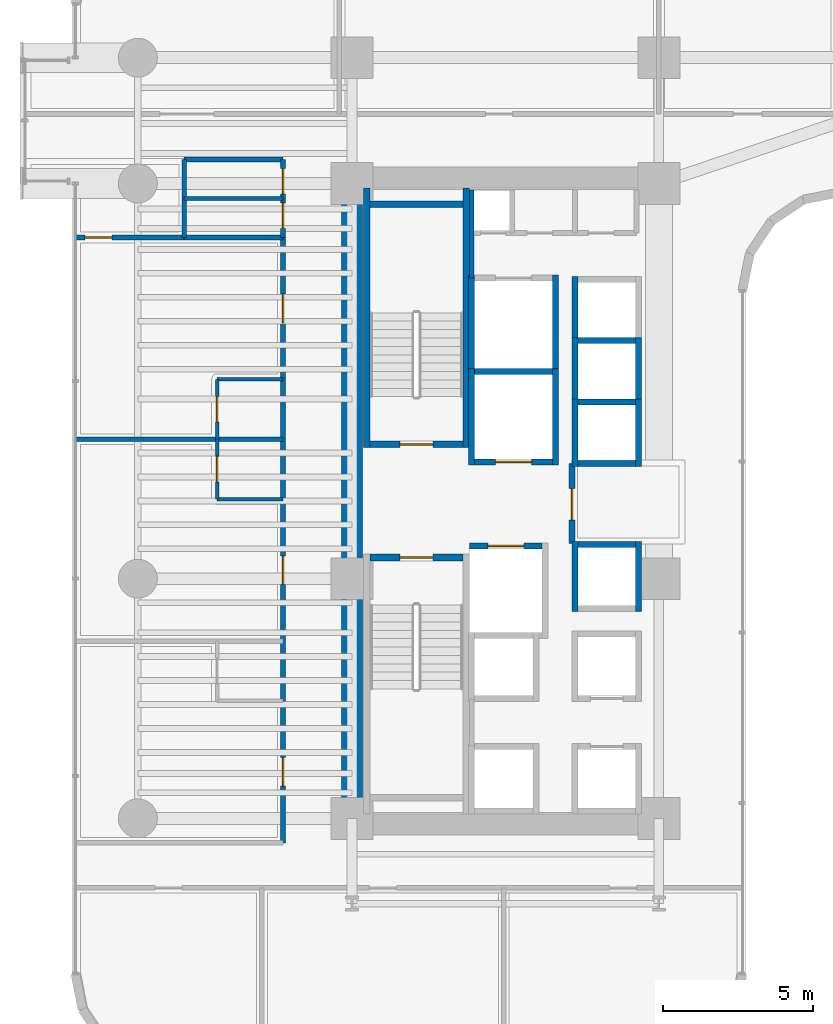
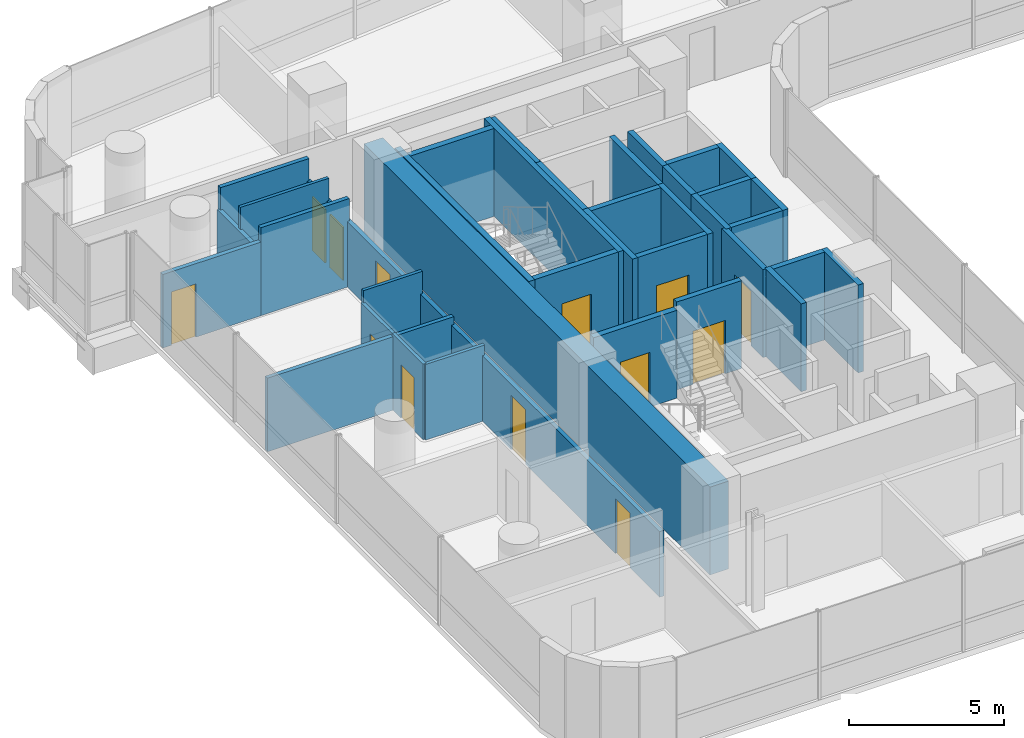
# One storey, part 32 of 41: 38 walls, 13 doors, 13 openings.
"""IFC4 building model written with IfcOpenShell, lengths in metres."""

from ifc_helpers import new_model, si_unit, direction, frame, frame_2d, origin, place, context, subcontext, project, spatial, rectangle, extrude, material, layer, layer_set, type_object, element, fill, save


model = new_model("IFC4")

# Units and contexts
model_context = context("Model", 3, precision=1e-05, world=origin(), true_north=direction((0.0, 1.0)))
body_context = subcontext(model_context, "Body", "Model", "MODEL_VIEW")
ifc_project = project(units=[si_unit("LENGTHUNIT", "METRE"), si_unit("AREAUNIT", "SQUARE_METRE"), si_unit("VOLUMEUNIT", "CUBIC_METRE"), si_unit("PLANEANGLEUNIT", "RADIAN"), si_unit("MASSUNIT", "GRAM", prefix="KILO")], contexts=[model_context])

# Site, building, storey
site_placement = place(None, origin())
site = spatial("IfcSite", under=ifc_project, at=site_placement, CompositionType="ELEMENT")
building_placement = place(site_placement, origin())
building = spatial("IfcBuilding", under=site, at=building_placement, Name="Valdorenza Pilgrim Sanctuary Tower", CompositionType="ELEMENT")
storey_placement = place(building_placement, frame((0.0, 0.0, 85.199951171875)))
storey = spatial("IfcBuildingStorey", under=building, at=storey_placement, Name="L21", CompositionType="ELEMENT", Elevation=85.199951171875)

# Walls
ifc_material_1 = material(Name="Acoustic twin-stud gypsum partition", Category="gypsum")
ifc_layer_1 = layer(ifc_material_1, 0.159912109375, Name="Acoustic twin-stud gypsum partition")
ifc_layer_set_1 = layer_set([ifc_layer_1], Name="Acoustic twin-stud gypsum partition")
wall_type_1 = type_object("IfcWallType", Name="WAL-COR-160", PredefinedType="PARTITIONING", material=ifc_layer_set_1)
wall_1_placement = place(storey_placement, frame((-18.64990234375, 7.449951171875, 0.0), z_axis=(0.0, 0.0, 1.0), x_axis=(0.0, 1.0, 0.0)))
element("IfcWall", 1, at=wall_1_placement, inside=storey, type_object=wall_type_1, Name="L21 Core A North Service West Wall", PredefinedType="PARTITIONING", context=body_context, shape_type="SweptSolid", body=[
    extrude(rectangle(XDim=2.929931640625, YDim=0.159912109375, at=frame_2d((1.46484375, 0.0))), origin(), (0.0, 0.0, 1.0), 3.4599609375),
])
wall_2_placement = place(storey_placement, frame((-28.25, 8.800048828125, 0.0), z_axis=(0.0, 0.0, 1.0), x_axis=(0.0, 1.0, 0.0)))
element("IfcWall", 2, at=wall_2_placement, inside=storey, type_object=wall_type_1, Name="L21 Washroom West Wall", PredefinedType="PARTITIONING", context=body_context, shape_type="SweptSolid", body=[
    extrude(rectangle(XDim=2.599853515625, YDim=0.159912109375, at=frame_2d((1.2998046875, 0.0))), origin(), (0.0, 0.0, 1.0), 2.5830078125),
])

# Wall, openings, doors
wall_3_placement = place(storey_placement, frame((-24.949951171875, 8.800048828125, 0.0), z_axis=(0.0, 0.0, 1.0), x_axis=(0.0, 1.0, 0.0)))
wall_3 = element("IfcWall", 3, at=wall_3_placement, inside=storey, type_object=wall_type_1, Name="L21 Washroom East Wall", PredefinedType="PARTITIONING", context=body_context, shape_type="SweptSolid", body=[
    extrude(rectangle(XDim=2.599853515625, YDim=0.159912109375, at=frame_2d((1.2998046875, 0.0))), origin(), (0.0, 0.0, 1.0), 2.5830078125),
])
opening_1_placement = place(wall_3_placement, frame((0.300048828125, 0.0, 0.0)))
opening_1 = element("IfcOpeningElement", 4, at=opening_1_placement, cuts=wall_3, Name="Opening DR-WC1", PredefinedType="OPENING", context=body_context, shape_type="SweptSolid", body=[
    extrude(rectangle(XDim=0.85009765625, YDim=2.10009765625, at=frame_2d((0.425048828125, 1.050048828125))), frame((0.0, 0.0947265625, 0.0), z_axis=(0.0, -1.0, 0.0), x_axis=(1.0, 0.0, 0.0)), (0.0, 0.0, 1.0), 0.189697265625),
])
opening_2_placement = place(wall_3_placement, frame((1.449951171875, 0.0, 0.0)))
opening_2 = element("IfcOpeningElement", 5, at=opening_2_placement, cuts=wall_3, Name="Opening DR-WC1", PredefinedType="OPENING", context=body_context, shape_type="SweptSolid", body=[
    extrude(rectangle(XDim=0.85009765625, YDim=2.10009765625, at=frame_2d((0.425048828125, 1.050048828125))), frame((0.0, 0.0947265625, 0.0), z_axis=(0.0, -1.0, 0.0), x_axis=(1.0, 0.0, 0.0)), (0.0, 0.0, 1.0), 0.189697265625),
])
ifc_material_2 = material(Name="Moisture-resistant lacquered timber", Category="wood")
door_type_1 = type_object("IfcDoorType", Name="DR-BATH-850", OperationType="NOTDEFINED", PredefinedType="DOOR", material=ifc_material_2)
door_1_placement = place(opening_1_placement, origin())
door_1 = element("IfcDoor", 6, at=door_1_placement, inside=storey, type_object=door_type_1, Name="L21 Accessible Washroom Door", OperationType="SINGLE_SWING_RIGHT", OverallHeight=2.10009765625, OverallWidth=0.85009765625, PredefinedType="DOOR", context=body_context, shape_type="SweptSolid", body=[
    extrude(rectangle(XDim=0.85009765625, YDim=2.10009765625, at=frame_2d((0.425048828125, 1.050048828125))), frame((0.0, 0.02490234375, 0.0), z_axis=(0.0, -1.0, 0.0), x_axis=(1.0, 0.0, 0.0)), (0.0, 0.0, 1.0), 0.050048828125),
])
fill(opening_1, door_1)
door_2_placement = place(opening_2_placement, origin())
door_2 = element("IfcDoor", 7, at=door_2_placement, inside=storey, type_object=door_type_1, Name="L21 Public Washroom Door", OperationType="SINGLE_SWING_LEFT", OverallHeight=2.10009765625, OverallWidth=0.85009765625, PredefinedType="DOOR", context=body_context, shape_type="SweptSolid", body=[
    extrude(rectangle(XDim=0.85009765625, YDim=2.10009765625, at=frame_2d((0.425048828125, 1.050048828125))), frame((0.0, 0.02490234375, 0.0), z_axis=(0.0, -1.0, 0.0), x_axis=(1.0, 0.0, 0.0)), (0.0, 0.0, 1.0), 0.050048828125),
])
fill(opening_2, door_2)

# Walls
for number, where, z_axis, x_axis, name in (
    (8, (-28.25, 8.800048828125, 0.0), (0.0, 0.0, 1.0), (1.0, 0.0, 0.0), "L21 Washroom South Wall"),
    (9, (-28.25, 11.39990234375, 0.0), (0.0, 0.0, 1.0), (1.0, 0.0, 0.0), "L21 Washroom North Wall"),
):
    element("IfcWall", number, at=place(storey_placement, frame(where, z_axis=z_axis, x_axis=x_axis)), inside=storey, type_object=wall_type_1, Name=name, PredefinedType="PARTITIONING", context=body_context, shape_type="SweptSolid", body=[
        extrude(rectangle(XDim=3.300048828125, YDim=0.159912109375, at=frame_2d((1.64990234375, 0.0))), origin(), (0.0, 0.0, 1.0), 3.4599609375),
    ])

# Wall, openings, doors
wall_4_placement = place(storey_placement, frame((-24.949951171875, -11.419921875, 0.0), z_axis=(0.0, 0.0, 1.0), x_axis=(0.0, 1.0, 0.0)))
wall_4 = element("IfcWall", 10, at=wall_4_placement, inside=storey, type_object=wall_type_1, Name="L21 West Wing Corridor Wall", PredefinedType="PARTITIONING", context=body_context, shape_type="SweptSolid", body=[
    extrude(rectangle(XDim=20.219970703125, YDim=0.159912109375, at=frame_2d((10.10986328125, 0.0))), origin(), (0.0, 0.0, 1.0), 2.5830078125),
])
opening_3_placement = place(wall_4_placement, frame((1.89501953125, 0.0, 0.0)))
opening_3 = element("IfcOpeningElement", 11, at=opening_3_placement, cuts=wall_4, Name="Opening DR-UN1", PredefinedType="OPENING", context=body_context, shape_type="SweptSolid", body=[
    extrude(rectangle(XDim=0.949951171875, YDim=2.14990234375, at=frame_2d((0.47509765625, 1.074951171875))), frame((0.0, 0.0947265625, 0.0), z_axis=(0.0, -1.0, 0.0), x_axis=(1.0, 0.0, 0.0)), (0.0, 0.0, 1.0), 0.189697265625),
])
opening_4_placement = place(wall_4_placement, frame((8.635009765625, 0.0, 0.0)))
opening_4 = element("IfcOpeningElement", 12, at=opening_4_placement, cuts=wall_4, Name="Opening DR-UN1", PredefinedType="OPENING", context=body_context, shape_type="SweptSolid", body=[
    extrude(rectangle(XDim=0.949951171875, YDim=2.14990234375, at=frame_2d((0.47509765625, 1.074951171875))), frame((0.0, 0.0947265625, 0.0), z_axis=(0.0, -1.0, 0.0), x_axis=(1.0, 0.0, 0.0)), (0.0, 0.0, 1.0), 0.189697265625),
])
opening_5_placement = place(wall_4_placement, frame((17.375, 0.0, 0.0)))
opening_5 = element("IfcOpeningElement", 13, at=opening_5_placement, cuts=wall_4, Name="Opening DR-UN1", PredefinedType="OPENING", context=body_context, shape_type="SweptSolid", body=[
    extrude(rectangle(XDim=0.949951171875, YDim=2.14990234375, at=frame_2d((0.47509765625, 1.074951171875))), frame((0.0, 0.0947265625, 0.0), z_axis=(0.0, -1.0, 0.0), x_axis=(1.0, 0.0, 0.0)), (0.0, 0.0, 1.0), 0.189697265625),
])
ifc_material_3 = material(Name="Solid-core European oak timber", Category="wood")
door_type_2 = type_object("IfcDoorType", Name="DR-UNIT-950", OperationType="NOTDEFINED", PredefinedType="DOOR", material=ifc_material_3)
door_3_placement = place(opening_3_placement, frame((0.949951171875, 0.0, 0.0), z_axis=(0.0, 0.0, 1.0), x_axis=(-1.0, 0.0, 0.0)))
door_3 = element("IfcDoor", 14, at=door_3_placement, inside=storey, type_object=door_type_2, Name="L21 Sanctuary Guest Room L21-W1 Entrance Door", OperationType="SINGLE_SWING_LEFT", OverallHeight=2.14990234375, OverallWidth=0.949951171875, PredefinedType="DOOR", context=body_context, shape_type="SweptSolid", body=[
    extrude(rectangle(XDim=0.949951171875, YDim=2.14990234375, at=frame_2d((0.47509765625, 1.074951171875))), frame((0.0, 0.02490234375, 0.0), z_axis=(0.0, -1.0, 0.0), x_axis=(1.0, 0.0, 0.0)), (0.0, 0.0, 1.0), 0.050048828125),
])
fill(opening_3, door_3)
door_4_placement = place(opening_4_placement, frame((0.949951171875, 0.0, 0.0), z_axis=(0.0, 0.0, 1.0), x_axis=(-1.0, 0.0, 0.0)))
door_4 = element("IfcDoor", 15, at=door_4_placement, inside=storey, type_object=door_type_2, Name="L21 Sanctuary Guest Room L21-W2 Entrance Door", OperationType="SINGLE_SWING_LEFT", OverallHeight=2.14990234375, OverallWidth=0.949951171875, PredefinedType="DOOR", context=body_context, shape_type="SweptSolid", body=[
    extrude(rectangle(XDim=0.949951171875, YDim=2.14990234375, at=frame_2d((0.47509765625, 1.074951171875))), frame((0.0, 0.02490234375, 0.0), z_axis=(0.0, -1.0, 0.0), x_axis=(1.0, 0.0, 0.0)), (0.0, 0.0, 1.0), 0.050048828125),
])
fill(opening_4, door_4)
door_5_placement = place(opening_5_placement, frame((0.949951171875, 0.0, 0.0), z_axis=(0.0, 0.0, 1.0), x_axis=(-1.0, 0.0, 0.0)))
door_5 = element("IfcDoor", 16, at=door_5_placement, inside=storey, type_object=door_type_2, Name="L21 Sanctuary Guest Room L21-W3 Entrance Door", OperationType="SINGLE_SWING_LEFT", OverallHeight=2.14990234375, OverallWidth=0.949951171875, PredefinedType="DOOR", context=body_context, shape_type="SweptSolid", body=[
    extrude(rectangle(XDim=0.949951171875, YDim=2.14990234375, at=frame_2d((0.47509765625, 1.074951171875))), frame((0.0, 0.02490234375, 0.0), z_axis=(0.0, -1.0, 0.0), x_axis=(1.0, 0.0, 0.0)), (0.0, 0.0, 1.0), 0.050048828125),
])
fill(opening_5, door_5)

# Wall, opening, door
wall_5_placement = place(storey_placement, frame((-31.889892578125, 8.800048828125, 0.0), z_axis=(0.0, 0.0, 1.0), x_axis=(1.0, 0.0, 0.0)))
wall_5 = element("IfcWall", 17, at=wall_5_placement, inside=storey, type_object=wall_type_1, Name="L21 West North Alcove Wall", PredefinedType="PARTITIONING", context=body_context, shape_type="SweptSolid", body=[
    extrude(rectangle(XDim=3.639892578125, YDim=0.159912109375, at=frame_2d((1.81982421875, 0.0))), origin(), (0.0, 0.0, 1.0), 2.89599609375),
])
opening_6_placement = place(wall_5_placement, frame((0.320068359375, 0.0, 0.0)))
opening_6 = element("IfcOpeningElement", 18, at=opening_6_placement, cuts=wall_5, Name="Opening DR-RM1", PredefinedType="OPENING", context=body_context, shape_type="SweptSolid", body=[
    extrude(rectangle(XDim=0.89990234375, YDim=2.10009765625, at=frame_2d((0.449951171875, 1.050048828125))), frame((0.0, 0.0947265625, 0.0), z_axis=(0.0, -1.0, 0.0), x_axis=(1.0, 0.0, 0.0)), (0.0, 0.0, 1.0), 0.189697265625),
])
door_type_3 = type_object("IfcDoorType", Name="DR-ROOM-900", OperationType="NOTDEFINED", PredefinedType="DOOR", material=ifc_material_3)
door_6_placement = place(opening_6_placement, origin())
door_6 = element("IfcDoor", 19, at=door_6_placement, inside=storey, type_object=door_type_3, Name="L21 Pilgrim Scholar Office L21-WN Door", OperationType="SINGLE_SWING_RIGHT", OverallHeight=2.10009765625, OverallWidth=0.89990234375, PredefinedType="DOOR", context=body_context, shape_type="SweptSolid", body=[
    extrude(rectangle(XDim=0.89990234375, YDim=2.10009765625, at=frame_2d((0.449951171875, 1.050048828125))), frame((0.0, 0.02490234375, 0.0), z_axis=(0.0, -1.0, 0.0), x_axis=(1.0, 0.0, 0.0)), (0.0, 0.0, 1.0), 0.050048828125),
])
fill(opening_6, door_6)

# Wall
ifc_material_4 = material(Name="Concrete C60/75", Category="concrete")
ifc_layer_2 = layer(ifc_material_4, 0.699951171875, Name="Concrete C60/75")
ifc_layer_set_2 = layer_set([ifc_layer_2], Name="Concrete C60/75")
wall_type_2 = type_object("IfcWallType", Name="WAL-COR-700", PredefinedType="SHEAR", material=ifc_layer_set_2)
wall_6_placement = place(storey_placement, frame((-22.64990234375, -11.14990234375, 0.0), z_axis=(0.0, 0.0, 1.0), x_axis=(0.0, 1.0, 0.0)))
element("IfcWall", 20, at=wall_6_placement, inside=storey, type_object=wall_type_2, Name="L21 Split Core A Shear Wall W", PredefinedType="SHEAR", context=body_context, shape_type="SweptSolid", body=[
    extrude(rectangle(XDim=22.2998046875, YDim=0.699951171875, at=frame_2d((11.14990234375, 0.0))), origin(), (0.0, 0.0, 1.0), 3.4599609375),
])

# Wall, opening, door
ifc_material_5 = material(Name="Gypsum shaftwall partition", Category="gypsum")
ifc_layer_3 = layer(ifc_material_5, 0.199951171875, Name="Gypsum shaftwall partition")
ifc_layer_set_3 = layer_set([ifc_layer_3], Name="Gypsum shaftwall partition")
wall_type_3 = type_object("IfcWallType", Name="WAL-FFL-200", PredefinedType="PARTITIONING", material=ifc_layer_set_3)
wall_7_placement = place(storey_placement, frame((-15.300048828125, -1.419921875, 0.0), z_axis=(0.0, 0.0, 1.0), x_axis=(0.0, 1.0, 0.0)))
wall_7 = element("IfcWall", 21, at=wall_7_placement, inside=storey, type_object=wall_type_3, Name="L21 Core A Firefighting Lobby East Wall", PredefinedType="PARTITIONING", context=body_context, shape_type="SweptSolid", body=[
    extrude(rectangle(XDim=2.669921875, YDim=0.199951171875, at=frame_2d((1.3349609375, 0.0))), origin(), (0.0, 0.0, 1.0), 3.4599609375),
])
opening_7_placement = place(wall_7_placement, frame((0.780029296875, 0.0, 0.0)))
opening_7 = element("IfcOpeningElement", 22, at=opening_7_placement, cuts=wall_7, Name="Opening DR-FL1", PredefinedType="OPENING", context=body_context, shape_type="SweptSolid", body=[
    extrude(rectangle(XDim=1.050048828125, YDim=2.14990234375, at=frame_2d((0.52490234375, 1.074951171875))), frame((0.0, 0.11474609375, 0.0), z_axis=(0.0, -1.0, 0.0), x_axis=(1.0, 0.0, 0.0)), (0.0, 0.0, 1.0), 0.229736328125),
])
ifc_material_6 = material(Name="Painted galvanized steel", Category="steel")
door_type_4 = type_object("IfcDoorType", Name="DR-FFL-1050", OperationType="NOTDEFINED", PredefinedType="DOOR", material=ifc_material_6)
door_7_placement = place(opening_7_placement, origin())
door_7 = element("IfcDoor", 23, at=door_7_placement, inside=storey, type_object=door_type_4, Name="L21 Core A Firefighting Lobby Door", OperationType="SINGLE_SWING_RIGHT", OverallHeight=2.14990234375, OverallWidth=1.050048828125, PredefinedType="DOOR", context=body_context, shape_type="SweptSolid", body=[
    extrude(rectangle(XDim=1.050048828125, YDim=2.14990234375, at=frame_2d((0.52490234375, 1.074951171875))), frame((0.0, 0.02490234375, 0.0), z_axis=(0.0, -1.0, 0.0), x_axis=(1.0, 0.0, 0.0)), (0.0, 0.0, 1.0), 0.050048828125),
])
fill(opening_7, door_7)

# Walls
ifc_material_7 = material(Name="Moisture-resistant gypsum partition", Category="gypsum")
ifc_layer_4 = layer(ifc_material_7, 0.1201171875, Name="Moisture-resistant gypsum partition")
ifc_layer_set_4 = layer_set([ifc_layer_4], Name="Moisture-resistant gypsum partition")
wall_type_4 = type_object("IfcWallType", Name="WAL-INT-120", PredefinedType="PARTITIONING", material=ifc_layer_set_4)
wall_8_placement = place(storey_placement, frame((-28.25, 10.10009765625, 0.0), z_axis=(0.0, 0.0, 1.0), x_axis=(1.0, 0.0, 0.0)))
element("IfcWall", 24, at=wall_8_placement, inside=storey, type_object=wall_type_4, Name="L21 Washroom Divider Wall", PredefinedType="PARTITIONING", context=body_context, shape_type="SweptSolid", body=[
    extrude(rectangle(XDim=3.300048828125, YDim=0.1201171875, at=frame_2d((1.64990234375, 0.0))), origin(), (0.0, 0.0, 1.0), 3.4599609375),
])
wall_9_placement = place(storey_placement, frame((-27.14990234375, 0.06005859375, 0.0), z_axis=(0.0, 0.0, 1.0), x_axis=(1.0, 0.0, 0.0)))
element("IfcWall", 25, at=wall_9_placement, inside=storey, type_object=wall_type_4, Name="L21 Sanctuary Guest Room L21-W2 En-suite South Wall", PredefinedType="PARTITIONING", context=body_context, shape_type="SweptSolid", body=[
    extrude(rectangle(XDim=2.199951171875, YDim=0.1201171875, at=frame_2d((1.10009765625, 0.0))), origin(), (0.0, 0.0, 1.0), 2.97900390625),
])

# Wall, opening, door
wall_10_placement = place(storey_placement, frame((-27.14990234375, 0.06005859375, 0.0), z_axis=(0.0, 0.0, 1.0), x_axis=(0.0, 1.0, 0.0)))
wall_10 = element("IfcWall", 26, at=wall_10_placement, inside=storey, type_object=wall_type_4, Name="L21 Sanctuary Guest Room L21-W2 En-suite Door Wall", PredefinedType="PARTITIONING", context=body_context, shape_type="SweptSolid", body=[
    extrude(rectangle(XDim=2.0, YDim=0.1201171875, at=frame_2d((1.0, 0.0))), origin(), (0.0, 0.0, 1.0), 2.97900390625),
])
opening_8_placement = place(wall_10_placement, frame((0.574951171875, 0.0, 0.0)))
opening_8 = element("IfcOpeningElement", 27, at=opening_8_placement, cuts=wall_10, Name="Opening DR-WC1", PredefinedType="OPENING", context=body_context, shape_type="SweptSolid", body=[
    extrude(rectangle(XDim=0.85009765625, YDim=2.10009765625, at=frame_2d((0.425048828125, 1.050048828125))), frame((0.0, 0.074951171875, 0.0), z_axis=(0.0, -1.0, 0.0), x_axis=(1.0, 0.0, 0.0)), (0.0, 0.0, 1.0), 0.14990234375),
])
door_8_placement = place(opening_8_placement, origin())
door_8 = element("IfcDoor", 28, at=door_8_placement, inside=storey, type_object=door_type_1, Name="L21 Sanctuary Guest Room L21-W2 En-suite Bathroom Door", OperationType="SINGLE_SWING_RIGHT", OverallHeight=2.10009765625, OverallWidth=0.85009765625, PredefinedType="DOOR", context=body_context, shape_type="SweptSolid", body=[
    extrude(rectangle(XDim=0.85009765625, YDim=2.10009765625, at=frame_2d((0.425048828125, 1.050048828125))), frame((0.0, 0.02490234375, 0.0), z_axis=(0.0, -1.0, 0.0), x_axis=(1.0, 0.0, 0.0)), (0.0, 0.0, 1.0), 0.050048828125),
])
fill(opening_8, door_8)

# Wall
wall_11_placement = place(storey_placement, frame((-27.14990234375, 4.06005859375, 0.0), z_axis=(0.0, 0.0, 1.0), x_axis=(1.0, 0.0, 0.0)))
element("IfcWall", 29, at=wall_11_placement, inside=storey, type_object=wall_type_4, Name="L21 Sanctuary Guest Room L21-W3 En-suite North Wall", PredefinedType="PARTITIONING", context=body_context, shape_type="SweptSolid", body=[
    extrude(rectangle(XDim=2.199951171875, YDim=0.1201171875, at=frame_2d((1.10009765625, 0.0))), origin(), (0.0, 0.0, 1.0), 3.4599609375),
])

# Wall, opening, door
wall_12_placement = place(storey_placement, frame((-27.14990234375, 2.06005859375, 0.0), z_axis=(0.0, 0.0, 1.0), x_axis=(0.0, 1.0, 0.0)))
wall_12 = element("IfcWall", 30, at=wall_12_placement, inside=storey, type_object=wall_type_4, Name="L21 Sanctuary Guest Room L21-W3 En-suite Door Wall", PredefinedType="PARTITIONING", context=body_context, shape_type="SweptSolid", body=[
    extrude(rectangle(XDim=2.0, YDim=0.1201171875, at=frame_2d((1.0, 0.0))), origin(), (0.0, 0.0, 1.0), 2.97900390625),
])
opening_9_placement = place(wall_12_placement, frame((0.574951171875, 0.0, 0.0)))
opening_9 = element("IfcOpeningElement", 31, at=opening_9_placement, cuts=wall_12, Name="Opening DR-WC1", PredefinedType="OPENING", context=body_context, shape_type="SweptSolid", body=[
    extrude(rectangle(XDim=0.85009765625, YDim=2.10009765625, at=frame_2d((0.425048828125, 1.050048828125))), frame((0.0, 0.074951171875, 0.0), z_axis=(0.0, -1.0, 0.0), x_axis=(1.0, 0.0, 0.0)), (0.0, 0.0, 1.0), 0.14990234375),
])
door_9_placement = place(opening_9_placement, origin())
door_9 = element("IfcDoor", 32, at=door_9_placement, inside=storey, type_object=door_type_1, Name="L21 Sanctuary Guest Room L21-W3 En-suite Bathroom Door", OperationType="SINGLE_SWING_RIGHT", OverallHeight=2.10009765625, OverallWidth=0.85009765625, PredefinedType="DOOR", context=body_context, shape_type="SweptSolid", body=[
    extrude(rectangle(XDim=0.85009765625, YDim=2.10009765625, at=frame_2d((0.425048828125, 1.050048828125))), frame((0.0, 0.02490234375, 0.0), z_axis=(0.0, -1.0, 0.0), x_axis=(1.0, 0.0, 0.0)), (0.0, 0.0, 1.0), 0.050048828125),
])
fill(opening_9, door_9)

# Walls
ifc_material_8 = material(Name="Autoclaved aerated concrete blockwork", Category="masonry")
ifc_layer_5 = layer(ifc_material_8, 0.199951171875, Name="Autoclaved aerated concrete blockwork")
ifc_layer_set_5 = layer_set([ifc_layer_5], Name="Autoclaved aerated concrete blockwork")
wall_type_5 = type_object("IfcWallType", Name="WAL-SHF-200", PredefinedType="MOVABLE", material=ifc_layer_set_5)
for number, where, z_axis, x_axis, name in (
    (33, (-18.64990234375, 1.199951171875, 0.0), (0.0, 0.0, 1.0), (0.0, 1.0, 0.0), "L21 Lift FFL-01 Hoistway Wall West"),
    (34, (-15.85009765625, 1.199951171875, 0.0), (0.0, 0.0, 1.0), (0.0, 1.0, 0.0), "L21 Lift FFL-01 Hoistway Wall East"),
):
    element("IfcWall", number, at=place(storey_placement, frame(where, z_axis=z_axis, x_axis=x_axis)), inside=storey, type_object=wall_type_5, Name=name, PredefinedType="MOVABLE", context=body_context, shape_type="SweptSolid", body=[
        extrude(rectangle(XDim=3.22509765625, YDim=0.199951171875, at=frame_2d((1.612548828125, 0.0))), origin(), (0.0, 0.0, 1.0), 3.4599609375),
    ])

# Wall, opening, door
wall_13_placement = place(storey_placement, frame((-18.550048828125, 1.300048828125, 0.0), z_axis=(0.0, 0.0, 1.0), x_axis=(1.0, 0.0, 0.0)))
wall_13 = element("IfcWall", 35, at=wall_13_placement, inside=storey, type_object=wall_type_5, Name="L21 Lift FFL-01 Hoistway Wall South", PredefinedType="MOVABLE", context=body_context, shape_type="SweptSolid", body=[
    extrude(rectangle(XDim=2.60009765625, YDim=0.199951171875, at=frame_2d((1.300048828125, 0.0))), origin(), (0.0, 0.0, 1.0), 3.4599609375),
])
opening_10_placement = place(wall_13_placement, frame((0.699951171875, 0.0, 0.0)))
opening_10 = element("IfcOpeningElement", 36, at=opening_10_placement, cuts=wall_13, Name="Opening LD-02", PredefinedType="OPENING", context=body_context, shape_type="SweptSolid", body=[
    extrude(rectangle(XDim=1.199951171875, YDim=2.10009765625, at=frame_2d((0.60009765625, 1.050048828125))), frame((0.0, 0.11474609375, 0.0), z_axis=(0.0, -1.0, 0.0), x_axis=(1.0, 0.0, 0.0)), (0.0, 0.0, 1.0), 0.229736328125),
])
ifc_material_9 = material(Name="Brushed stainless steel Grade 316", Category="steel")
door_type_5 = type_object("IfcDoorType", Name="DR-LFT-1200", OperationType="DOUBLE_DOOR_SLIDING", PredefinedType="DOOR", material=ifc_material_9)
door_10_placement = place(opening_10_placement, origin())
door_10 = element("IfcDoor", 37, at=door_10_placement, inside=storey, type_object=door_type_5, Name="L21 Lift FFL-01 Sliding Landing Door", OperationType="DOUBLE_DOOR_SLIDING", OverallHeight=2.10009765625, OverallWidth=1.199951171875, PredefinedType="DOOR", context=body_context, shape_type="SweptSolid", body=[
    extrude(rectangle(XDim=1.199951171875, YDim=2.10009765625, at=frame_2d((0.60009765625, 1.050048828125))), frame((0.0, 0.02490234375, 0.0), z_axis=(0.0, -1.0, 0.0), x_axis=(1.0, 0.0, 0.0)), (0.0, 0.0, 1.0), 0.050048828125),
])
fill(opening_10, door_10)

# Wall
wall_14_placement = place(storey_placement, frame((-18.550048828125, 4.324951171875, 0.0), z_axis=(0.0, 0.0, 1.0), x_axis=(1.0, 0.0, 0.0)))
element("IfcWall", 38, at=wall_14_placement, inside=storey, type_object=wall_type_5, Name="L21 Lift FFL-01 Hoistway Wall North", PredefinedType="MOVABLE", context=body_context, shape_type="SweptSolid", body=[
    extrude(rectangle(XDim=2.60009765625, YDim=0.199951171875, at=frame_2d((1.300048828125, 0.0))), origin(), (0.0, 0.0, 1.0), 3.4599609375),
])

# Wall, opening, door
wall_15_placement = place(storey_placement, frame((-18.719970703125, -1.5, 0.0), z_axis=(0.0, 0.0, 1.0), x_axis=(1.0, 0.0, 0.0)))
wall_15 = element("IfcWall", 39, at=wall_15_placement, inside=storey, type_object=wall_type_5, Name="L21 Lift FFL-02 Hoistway Wall North", PredefinedType="MOVABLE", context=body_context, shape_type="SweptSolid", body=[
    extrude(rectangle(XDim=2.419921875, YDim=0.199951171875, at=frame_2d((1.2099609375, 0.0))), origin(), (0.0, 0.0, 1.0), 3.4599609375),
])
opening_11_placement = place(wall_15_placement, frame((0.610107421875, 0.0, 0.0)))
opening_11 = element("IfcOpeningElement", 40, at=opening_11_placement, cuts=wall_15, Name="Opening LD-02", PredefinedType="OPENING", context=body_context, shape_type="SweptSolid", body=[
    extrude(rectangle(XDim=1.199951171875, YDim=2.10009765625, at=frame_2d((0.60009765625, 1.050048828125))), frame((0.0, 0.11474609375, 0.0), z_axis=(0.0, -1.0, 0.0), x_axis=(1.0, 0.0, 0.0)), (0.0, 0.0, 1.0), 0.229736328125),
])
door_11_placement = place(opening_11_placement, origin())
door_11 = element("IfcDoor", 41, at=door_11_placement, inside=storey, type_object=door_type_5, Name="L21 Lift FFL-02 Sliding Landing Door", OperationType="DOUBLE_DOOR_SLIDING", OverallHeight=2.10009765625, OverallWidth=1.199951171875, PredefinedType="DOOR", context=body_context, shape_type="SweptSolid", body=[
    extrude(rectangle(XDim=1.199951171875, YDim=2.10009765625, at=frame_2d((0.60009765625, 1.050048828125))), frame((0.0, 0.02490234375, 0.0), z_axis=(0.0, -1.0, 0.0), x_axis=(1.0, 0.0, 0.0)), (0.0, 0.0, 1.0), 0.050048828125),
])
fill(opening_11, door_11)

# Walls
for number, where, z_axis, x_axis, name in (
    (42, (-18.64990234375, 4.22509765625, 0.0), (0.0, 0.0, 1.0), (0.0, 1.0, 0.0), "L21 Lift SVL-01 Hoistway Wall West"),
    (43, (-15.85009765625, 4.22509765625, 0.0), (0.0, 0.0, 1.0), (0.0, 1.0, 0.0), "L21 Lift SVL-01 Hoistway Wall East"),
):
    element("IfcWall", number, at=place(storey_placement, frame(where, z_axis=z_axis, x_axis=x_axis)), inside=storey, type_object=wall_type_5, Name=name, PredefinedType="MOVABLE", context=body_context, shape_type="SweptSolid", body=[
        extrude(rectangle(XDim=3.324951171875, YDim=0.199951171875, at=frame_2d((1.66259765625, 0.0))), origin(), (0.0, 0.0, 1.0), 3.4599609375),
    ])
for number, where, z_axis, x_axis, name in (
    (44, (-15.199951171875, 1.14990234375, 0.0), (0.0, 0.0, 1.0), (0.0, 1.0, 0.0), "L21 Lift PL-06 Hoistway Wall West"),
    (45, (-13.080078125, 1.14990234375, 0.0), (0.0, 0.0, 1.0), (0.0, 1.0, 0.0), "L21 Lift PL-06 Hoistway Wall East"),
):
    element("IfcWall", number, at=place(storey_placement, frame(where, z_axis=z_axis, x_axis=x_axis)), inside=storey, type_object=wall_type_5, Name=name, PredefinedType="MOVABLE", context=body_context, shape_type="SweptSolid", body=[
        extrude(rectangle(XDim=2.25, YDim=0.199951171875, at=frame_2d((1.125, 0.0))), origin(), (0.0, 0.0, 1.0), 3.4599609375),
    ])
wall_16_placement = place(storey_placement, frame((-15.10009765625, 1.25, 0.0), z_axis=(0.0, 0.0, 1.0), x_axis=(1.0, 0.0, 0.0)))
element("IfcWall", 46, at=wall_16_placement, inside=storey, type_object=wall_type_5, Name="L21 Lift PL-06 Hoistway Wall South", PredefinedType="MOVABLE", context=body_context, shape_type="SweptSolid", body=[
    extrude(rectangle(XDim=1.920166015625, YDim=0.199951171875, at=frame_2d((0.9599609375, 0.0))), origin(), (0.0, 0.0, 1.0), 3.4599609375),
])
for number, where, z_axis, x_axis, name in (
    (47, (-15.199951171875, 3.199951171875, 0.0), (0.0, 0.0, 1.0), (0.0, 1.0, 0.0), "L21 Lift PL-09 Hoistway Wall West"),
    (48, (-13.080078125, 3.199951171875, 0.0), (0.0, 0.0, 1.0), (0.0, 1.0, 0.0), "L21 Lift PL-09 Hoistway Wall East"),
):
    element("IfcWall", number, at=place(storey_placement, frame(where, z_axis=z_axis, x_axis=x_axis)), inside=storey, type_object=wall_type_5, Name=name, PredefinedType="MOVABLE", context=body_context, shape_type="SweptSolid", body=[
        extrude(rectangle(XDim=2.25, YDim=0.199951171875, at=frame_2d((1.125, 0.0))), origin(), (0.0, 0.0, 1.0), 3.4599609375),
    ])
for number, where, z_axis, x_axis, name in (
    (49, (-15.10009765625, 3.300048828125, 0.0), (0.0, 0.0, 1.0), (1.0, 0.0, 0.0), "L21 Lift PL-09 Hoistway Wall South"),
    (50, (-15.10009765625, 5.35009765625, 0.0), (0.0, 0.0, 1.0), (1.0, 0.0, 0.0), "L21 Lift PL-09 Hoistway Wall North"),
):
    element("IfcWall", number, at=place(storey_placement, frame(where, z_axis=z_axis, x_axis=x_axis)), inside=storey, type_object=wall_type_5, Name=name, PredefinedType="MOVABLE", context=body_context, shape_type="SweptSolid", body=[
        extrude(rectangle(XDim=1.920166015625, YDim=0.199951171875, at=frame_2d((0.9599609375, 0.0))), origin(), (0.0, 0.0, 1.0), 3.4599609375),
    ])
wall_17_placement = place(storey_placement, frame((-15.199951171875, 5.25, 0.0), z_axis=(0.0, 0.0, 1.0), x_axis=(0.0, 1.0, 0.0)))
element("IfcWall", 51, at=wall_17_placement, inside=storey, type_object=wall_type_5, Name="L21 Lift PL-10 Hoistway Wall West", PredefinedType="MOVABLE", context=body_context, shape_type="SweptSolid", body=[
    extrude(rectangle(XDim=2.25, YDim=0.199951171875, at=frame_2d((1.125, 0.0))), origin(), (0.0, 0.0, 1.0), 3.4599609375),
])
for number, where, z_axis, x_axis, name in (
    (52, (-15.199951171875, -3.699951171875, 0.0), (0.0, 0.0, 1.0), (0.0, 1.0, 0.0), "L21 Lift PL-12 Hoistway Wall West"),
    (53, (-13.080078125, -3.699951171875, 0.0), (0.0, 0.0, 1.0), (0.0, 1.0, 0.0), "L21 Lift PL-12 Hoistway Wall East"),
):
    element("IfcWall", number, at=place(storey_placement, frame(where, z_axis=z_axis, x_axis=x_axis)), inside=storey, type_object=wall_type_5, Name=name, PredefinedType="MOVABLE", context=body_context, shape_type="SweptSolid", body=[
        extrude(rectangle(XDim=2.349853515625, YDim=0.199951171875, at=frame_2d((1.1748046875, 0.0))), origin(), (0.0, 0.0, 1.0), 3.4599609375),
    ])
wall_18_placement = place(storey_placement, frame((-15.10009765625, -1.449951171875, 0.0), z_axis=(0.0, 0.0, 1.0), x_axis=(1.0, 0.0, 0.0)))
element("IfcWall", 54, at=wall_18_placement, inside=storey, type_object=wall_type_5, Name="L21 Lift PL-12 Hoistway Wall North", PredefinedType="MOVABLE", context=body_context, shape_type="SweptSolid", body=[
    extrude(rectangle(XDim=1.920166015625, YDim=0.199951171875, at=frame_2d((0.9599609375, 0.0))), origin(), (0.0, 0.0, 1.0), 3.4599609375),
])
ifc_material_10 = material(Name="Concrete C40/50", Category="concrete")
ifc_layer_6 = layer(ifc_material_10, 0.219970703125, Name="Concrete C40/50")
ifc_layer_set_6 = layer_set([ifc_layer_6], Name="Concrete C40/50")
wall_type_6 = type_object("IfcWallType", Name="WAL-STR-SHF-220", PredefinedType="SHEAR", material=ifc_layer_set_6)
for number, where, z_axis, x_axis, name in (
    (55, (-22.159912109375, 1.780029296875, 0.0), (0.0, 0.0, 1.0), (0.0, 1.0, 0.0), "L21 ST-A1 Structural Stairwell Wall W"),
    (56, (-18.830078125, 1.780029296875, 0.0), (0.0, 0.0, 1.0), (0.0, 1.0, 0.0), "L21 ST-A1 Structural Stairwell Wall E"),
):
    element("IfcWall", number, at=place(storey_placement, frame(where, z_axis=z_axis, x_axis=x_axis)), inside=storey, type_object=wall_type_6, Name=name, PredefinedType="SHEAR", context=body_context, shape_type="SweptSolid", body=[
        extrude(rectangle(XDim=8.669921875, YDim=0.219970703125, at=frame_2d((4.3349609375, 0.0))), origin(), (0.0, 0.0, 1.0), 3.4599609375),
    ])

# Wall, opening, door
wall_19_placement = place(storey_placement, frame((-22.050048828125, 1.889892578125, 0.0), z_axis=(0.0, 0.0, 1.0), x_axis=(1.0, 0.0, 0.0)))
wall_19 = element("IfcWall", 57, at=wall_19_placement, inside=storey, type_object=wall_type_6, Name="L21 ST-A1 Structural Stairwell Wall S", PredefinedType="SHEAR", context=body_context, shape_type="SweptSolid", body=[
    extrude(rectangle(XDim=3.110107421875, YDim=0.219970703125, at=frame_2d((1.55517578125, 0.0))), origin(), (0.0, 0.0, 1.0), 3.4599609375),
])
opening_12_placement = place(wall_19_placement, frame((1.0, 0.0, 0.0)))
opening_12 = element("IfcOpeningElement", 58, at=opening_12_placement, cuts=wall_19, Name="Opening DR-ST1", PredefinedType="OPENING", context=body_context, shape_type="SweptSolid", body=[
    extrude(rectangle(XDim=1.10009765625, YDim=2.14990234375, at=frame_2d((0.550048828125, 1.074951171875))), frame((0.0, 0.125, 0.0), z_axis=(0.0, -1.0, 0.0), x_axis=(1.0, 0.0, 0.0)), (0.0, 0.0, 1.0), 0.249755859375),
])
door_type_6 = type_object("IfcDoorType", Name="DR-STAIR-1100", OperationType="NOTDEFINED", PredefinedType="DOOR", material=ifc_material_6)
door_12_placement = place(opening_12_placement, frame((1.10009765625, 0.0, 0.0), z_axis=(0.0, 0.0, 1.0), x_axis=(-1.0, 0.0, 0.0)))
door_12 = element("IfcDoor", 59, at=door_12_placement, inside=storey, type_object=door_type_6, Name="L21 Exit Stair ST-A1 Door", OperationType="SINGLE_SWING_LEFT", OverallHeight=2.14990234375, OverallWidth=1.10009765625, PredefinedType="DOOR", context=body_context, shape_type="SweptSolid", body=[
    extrude(rectangle(XDim=1.10009765625, YDim=2.14990234375, at=frame_2d((0.550048828125, 1.074951171875))), frame((0.0, 0.02490234375, 0.0), z_axis=(0.0, -1.0, 0.0), x_axis=(1.0, 0.0, 0.0)), (0.0, 0.0, 1.0), 0.050048828125),
])
fill(opening_12, door_12)

# Wall
wall_20_placement = place(storey_placement, frame((-22.050048828125, 9.909912109375, 0.0), z_axis=(0.0, 0.0, 1.0), x_axis=(1.0, 0.0, 0.0)))
element("IfcWall", 60, at=wall_20_placement, inside=storey, type_object=wall_type_6, Name="L21 ST-A1 Structural Stairwell Wall N", PredefinedType="SHEAR", context=body_context, shape_type="SweptSolid", body=[
    extrude(rectangle(XDim=3.110107421875, YDim=0.219970703125, at=frame_2d((1.55517578125, 0.0))), origin(), (0.0, 0.0, 1.0), 3.4599609375),
])

# Wall, opening, door
wall_21_placement = place(storey_placement, frame((-22.050048828125, -1.889892578125, 0.0), z_axis=(0.0, 0.0, 1.0), x_axis=(1.0, 0.0, 0.0)))
wall_21 = element("IfcWall", 61, at=wall_21_placement, inside=storey, type_object=wall_type_6, Name="L21 ST-A2 Structural Stairwell Wall N", PredefinedType="SHEAR", context=body_context, shape_type="SweptSolid", body=[
    extrude(rectangle(XDim=3.110107421875, YDim=0.219970703125, at=frame_2d((1.55517578125, 0.0))), origin(), (0.0, 0.0, 1.0), 3.4599609375),
])
opening_13_placement = place(wall_21_placement, frame((1.0, 0.0, 0.0)))
opening_13 = element("IfcOpeningElement", 62, at=opening_13_placement, cuts=wall_21, Name="Opening DR-ST1", PredefinedType="OPENING", context=body_context, shape_type="SweptSolid", body=[
    extrude(rectangle(XDim=1.10009765625, YDim=2.14990234375, at=frame_2d((0.550048828125, 1.074951171875))), frame((0.0, 0.125, 0.0), z_axis=(0.0, -1.0, 0.0), x_axis=(1.0, 0.0, 0.0)), (0.0, 0.0, 1.0), 0.249755859375),
])
door_13_placement = place(opening_13_placement, origin())
door_13 = element("IfcDoor", 63, at=door_13_placement, inside=storey, type_object=door_type_6, Name="L21 Exit Stair ST-A2 Door", OperationType="SINGLE_SWING_RIGHT", OverallHeight=2.14990234375, OverallWidth=1.10009765625, PredefinedType="DOOR", context=body_context, shape_type="SweptSolid", body=[
    extrude(rectangle(XDim=1.10009765625, YDim=2.14990234375, at=frame_2d((0.550048828125, 1.074951171875))), frame((0.0, 0.02490234375, 0.0), z_axis=(0.0, -1.0, 0.0), x_axis=(1.0, 0.0, 0.0)), (0.0, 0.0, 1.0), 0.050048828125),
])
fill(opening_13, door_13)

# Wall
ifc_layer_7 = layer(ifc_material_1, 0.14990234375, Name="Acoustic twin-stud gypsum partition")
ifc_layer_set_7 = layer_set([ifc_layer_7], Name="Acoustic twin-stud gypsum partition")
wall_type_7 = type_object("IfcWallType", Name="WAL-UNT-150", PredefinedType="PARTITIONING", material=ifc_layer_set_7)
wall_22_placement = place(storey_placement, frame((-31.889892578125, 2.06005859375, 0.0), z_axis=(0.0, 0.0, 1.0), x_axis=(1.0, 0.0, 0.0)))
element("IfcWall", 64, at=wall_22_placement, inside=storey, type_object=wall_type_7, Name="L21 West Apt Demising 2", PredefinedType="PARTITIONING", context=body_context, shape_type="SweptSolid", body=[
    extrude(rectangle(XDim=6.93994140625, YDim=0.14990234375, at=frame_2d((3.469970703125, 0.0))), origin(), (0.0, 0.0, 1.0), 2.89599609375),
])

save(model, "model.ifc")
